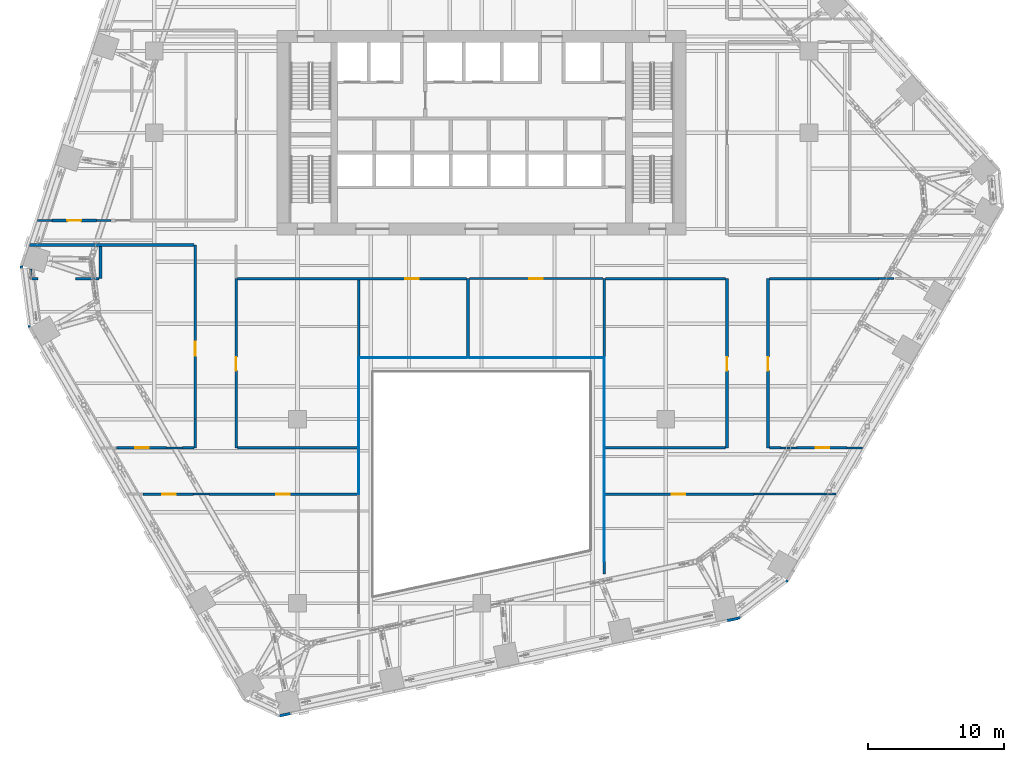
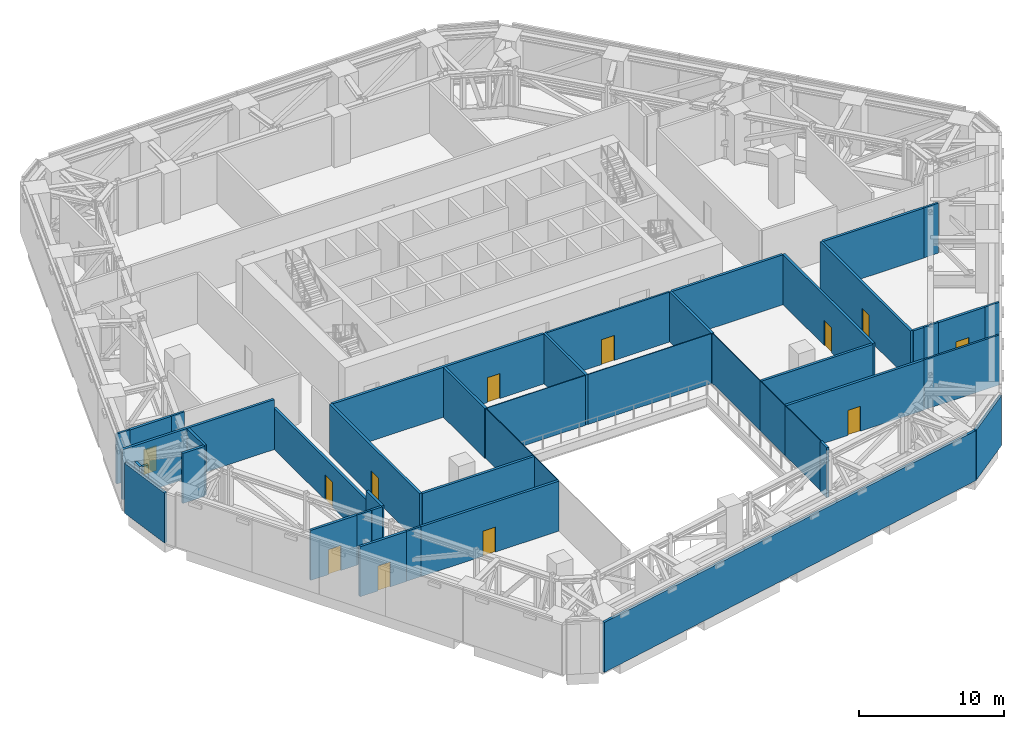
# One storey, part 21 of 36: 46 walls, 12 doors, 12 openings.
"""IFC4 building model written with IfcOpenShell, lengths in metres."""

from ifc_helpers import new_model, si_unit, direction, frame, frame_2d, origin, place, context, subcontext, project, spatial, rectangle, extrude, material, layer, layer_set, type_object, element, fill, save


model = new_model("IFC4")

# Units and contexts
model_context = context("Model", 3, precision=1e-05, world=origin(), true_north=direction((0.0, 1.0)))
body_context = subcontext(model_context, "Body", "Model", "MODEL_VIEW")
ifc_project = project(units=[si_unit("LENGTHUNIT", "METRE"), si_unit("AREAUNIT", "SQUARE_METRE"), si_unit("VOLUMEUNIT", "CUBIC_METRE"), si_unit("PLANEANGLEUNIT", "RADIAN"), si_unit("MASSUNIT", "GRAM", prefix="KILO")], contexts=[model_context])

# Site, building, storey
site_placement = place(None, origin())
site = spatial("IfcSite", under=ifc_project, at=site_placement, CompositionType="ELEMENT")
building_placement = place(site_placement, origin())
building = spatial("IfcBuilding", under=site, at=building_placement, Name="Isthmus Gate Tower", CompositionType="ELEMENT")
storey_placement = place(building_placement, frame((0.0, 0.0, 117.14990234375)))
storey = spatial("IfcBuildingStorey", under=building, at=storey_placement, Name="L28", CompositionType="ELEMENT", Elevation=117.14990234375)

# Wall, opening, door
ifc_material_1 = material(Name="Concrete f'c 30 MPa", Category="concrete")
ifc_layer_1 = layer(ifc_material_1, 0.199951171875)
ifc_layer_set_1 = layer_set([ifc_layer_1], Name="Fire-rated block wall 200")
wall_type_1 = type_object("IfcWallType", Name="Fire-rated block wall 200", PredefinedType="PARTITIONING", material=ifc_layer_set_1)
wall_1_placement = place(storey_placement, frame((-24.826171875, -19.0, 0.0), z_axis=(0.0, 0.0, 1.0), x_axis=(1.0, 0.0, 0.0)))
wall_1 = element("IfcWall", 1, at=wall_1_placement, inside=storey, type_object=wall_type_1, Name="Fire-rated wall", PredefinedType="PARTITIONING", context=body_context, shape_type="SweptSolid", body=[
    extrude(rectangle(XDim=3.695068359375, YDim=0.199951171875, at=frame_2d((1.84765625, 0.0))), origin(), (0.0, 0.0, 1.0), 4.2001953125),
])
opening_1_placement = place(wall_1_placement, frame((1.39990234375, 0.0, 0.0)))
opening_1 = element("IfcOpeningElement", 2, at=opening_1_placement, cuts=wall_1, Name="Opening DP28-18", PredefinedType="OPENING", context=body_context, shape_type="SweptSolid", body=[
    extrude(rectangle(XDim=1.0, YDim=2.10009765625, at=frame_2d((0.5, 1.050048828125))), frame((0.0, 0.10986328125, 0.0), z_axis=(0.0, -1.0, 0.0), x_axis=(1.0, 0.0, 0.0)), (0.0, 0.0, 1.0), 0.219970703125),
])
ifc_material_2 = material(Name="Steel fire door with intumescent seals", Category="steel")
door_type_1 = type_object("IfcDoorType", Name="Fire door 1000 x 2100", OperationType="SINGLE_SWING_LEFT", PredefinedType="DOOR", material=ifc_material_2)
door_1_placement = place(opening_1_placement, origin())
door_1 = element("IfcDoor", 3, at=door_1_placement, inside=storey, type_object=door_type_1, Name="Door DP28-18", OperationType="SINGLE_SWING_LEFT", OverallHeight=2.10009765625, OverallWidth=1.0, PredefinedType="DOOR", context=body_context, shape_type="SweptSolid", body=[
    extrude(rectangle(XDim=1.0, YDim=2.10009765625, at=frame_2d((0.5, 1.050048828125))), frame((0.0, 0.02490234375, 0.0), z_axis=(0.0, -1.0, 0.0), x_axis=(1.0, 0.0, 0.0)), (0.0, 0.0, 1.0), 0.050048828125),
])
fill(opening_1, door_1)

wall_2_placement = place(storey_placement, frame((-19.976318359375, -19.0, 0.0), z_axis=(0.0, 0.0, 1.0), x_axis=(1.0, 0.0, 0.0)))
wall_2 = element("IfcWall", 4, at=wall_2_placement, inside=storey, type_object=wall_type_1, Name="Fire-rated wall", PredefinedType="PARTITIONING", context=body_context, shape_type="SweptSolid", body=[
    extrude(rectangle(XDim=10.9462890625, YDim=0.199951171875, at=frame_2d((5.47314453125, 0.0))), origin(), (0.0, 0.0, 1.0), 4.2001953125),
])
opening_2_placement = place(wall_2_placement, frame((4.89990234375, 0.0, 0.0)))
opening_2 = element("IfcOpeningElement", 5, at=opening_2_placement, cuts=wall_2, Name="Opening DP28-17", PredefinedType="OPENING", context=body_context, shape_type="SweptSolid", body=[
    extrude(rectangle(XDim=1.0, YDim=2.10009765625, at=frame_2d((0.5, 1.050048828125))), frame((0.0, 0.10986328125, 0.0), z_axis=(0.0, -1.0, 0.0), x_axis=(1.0, 0.0, 0.0)), (0.0, 0.0, 1.0), 0.219970703125),
])
door_2_placement = place(opening_2_placement, origin())
door_2 = element("IfcDoor", 6, at=door_2_placement, inside=storey, type_object=door_type_1, Name="Door DP28-17", OperationType="SINGLE_SWING_LEFT", OverallHeight=2.10009765625, OverallWidth=1.0, PredefinedType="DOOR", context=body_context, shape_type="SweptSolid", body=[
    extrude(rectangle(XDim=1.0, YDim=2.10009765625, at=frame_2d((0.5, 1.050048828125))), frame((0.0, 0.02490234375, 0.0), z_axis=(0.0, -1.0, 0.0), x_axis=(1.0, 0.0, 0.0)), (0.0, 0.0, 1.0), 0.050048828125),
])
fill(opening_2, door_2)

wall_3_placement = place(storey_placement, frame((9.030029296875, -19.0, 0.0), z_axis=(0.0, 0.0, 1.0), x_axis=(1.0, 0.0, 0.0)))
wall_3 = element("IfcWall", 7, at=wall_3_placement, inside=storey, type_object=wall_type_1, Name="Fire-rated wall", PredefinedType="PARTITIONING", context=body_context, shape_type="SweptSolid", body=[
    extrude(rectangle(XDim=10.9462890625, YDim=0.199951171875, at=frame_2d((5.47314453125, 0.0))), origin(), (0.0, 0.0, 1.0), 4.2001953125),
])
opening_3_placement = place(wall_3_placement, frame((4.89990234375, 0.0, 0.0)))
opening_3 = element("IfcOpeningElement", 8, at=opening_3_placement, cuts=wall_3, Name="Opening DP28-22", PredefinedType="OPENING", context=body_context, shape_type="SweptSolid", body=[
    extrude(rectangle(XDim=1.0, YDim=2.10009765625, at=frame_2d((0.5, 1.050048828125))), frame((0.0, 0.10986328125, 0.0), z_axis=(0.0, -1.0, 0.0), x_axis=(1.0, 0.0, 0.0)), (0.0, 0.0, 1.0), 0.219970703125),
])
door_3_placement = place(opening_3_placement, origin())
door_3 = element("IfcDoor", 9, at=door_3_placement, inside=storey, type_object=door_type_1, Name="Door DP28-22", OperationType="SINGLE_SWING_LEFT", OverallHeight=2.10009765625, OverallWidth=1.0, PredefinedType="DOOR", context=body_context, shape_type="SweptSolid", body=[
    extrude(rectangle(XDim=1.0, YDim=2.10009765625, at=frame_2d((0.5, 1.050048828125))), frame((0.0, 0.02490234375, 0.0), z_axis=(0.0, -1.0, 0.0), x_axis=(1.0, 0.0, 0.0)), (0.0, 0.0, 1.0), 0.050048828125),
])
fill(opening_3, door_3)

wall_4_placement = place(storey_placement, frame((-26.7890625, -15.60009765625, 0.0), z_axis=(0.0, 0.0, 1.0), x_axis=(1.0, 0.0, 0.0)))
wall_4 = element("IfcWall", 10, at=wall_4_placement, inside=storey, type_object=wall_type_1, Name="Fire-rated wall", PredefinedType="PARTITIONING", context=body_context, shape_type="SweptSolid", body=[
    extrude(rectangle(XDim=3.695068359375, YDim=0.199951171875, at=frame_2d((1.84765625, 0.0))), origin(), (0.0, 0.0, 1.0), 4.2001953125),
])
opening_4_placement = place(wall_4_placement, frame((1.39990234375, 0.0, 0.0)))
opening_4 = element("IfcOpeningElement", 11, at=opening_4_placement, cuts=wall_4, Name="Opening DP28-15", PredefinedType="OPENING", context=body_context, shape_type="SweptSolid", body=[
    extrude(rectangle(XDim=1.0, YDim=2.10009765625, at=frame_2d((0.5, 1.050048828125))), frame((0.0, 0.10986328125, 0.0), z_axis=(0.0, -1.0, 0.0), x_axis=(1.0, 0.0, 0.0)), (0.0, 0.0, 1.0), 0.219970703125),
])
door_4_placement = place(opening_4_placement, origin())
door_4 = element("IfcDoor", 12, at=door_4_placement, inside=storey, type_object=door_type_1, Name="Door DP28-15", OperationType="SINGLE_SWING_LEFT", OverallHeight=2.10009765625, OverallWidth=1.0, PredefinedType="DOOR", context=body_context, shape_type="SweptSolid", body=[
    extrude(rectangle(XDim=1.0, YDim=2.10009765625, at=frame_2d((0.5, 1.050048828125))), frame((0.0, 0.02490234375, 0.0), z_axis=(0.0, -1.0, 0.0), x_axis=(1.0, 0.0, 0.0)), (0.0, 0.0, 1.0), 0.050048828125),
])
fill(opening_4, door_4)

# Walls
wall_5_placement = place(storey_placement, frame((-21.939208984375, -15.60009765625, 0.0), z_axis=(0.0, 0.0, 1.0), x_axis=(1.0, 0.0, 0.0)))
element("IfcWall", 13, at=wall_5_placement, inside=storey, type_object=wall_type_1, Name="Fire-rated wall", PredefinedType="PARTITIONING", context=body_context, shape_type="SweptSolid", body=[
    extrude(rectangle(XDim=0.839111328125, YDim=0.199951171875, at=frame_2d((0.41943359375, 0.0))), origin(), (0.0, 0.0, 1.0), 4.2001953125),
])
for number, where, z_axis, x_axis, name in (
    (14, (-17.89990234375, -15.60009765625, 0.0), (0.0, 0.0, 1.0), (1.0, 0.0, 0.0), "Fire-rated wall"),
    (15, (9.030029296875, -15.60009765625, 0.0), (0.0, 0.0, 1.0), (1.0, 0.0, 0.0), "Fire-rated wall"),
):
    element("IfcWall", number, at=place(storey_placement, frame(where, z_axis=z_axis, x_axis=x_axis)), inside=storey, type_object=wall_type_1, Name=name, PredefinedType="PARTITIONING", context=body_context, shape_type="SweptSolid", body=[
        extrude(rectangle(XDim=8.869873046875, YDim=0.199951171875, at=frame_2d((4.43505859375, 0.0))), origin(), (0.0, 0.0, 1.0), 4.2001953125),
    ])
wall_6_placement = place(storey_placement, frame((21.10009765625, -15.60009765625, 0.0), z_axis=(0.0, 0.0, 1.0), x_axis=(1.0, 0.0, 0.0)))
element("IfcWall", 16, at=wall_6_placement, inside=storey, type_object=wall_type_1, Name="Fire-rated wall", PredefinedType="PARTITIONING", context=body_context, shape_type="SweptSolid", body=[
    extrude(rectangle(XDim=0.839111328125, YDim=0.199951171875, at=frame_2d((0.41943359375, 0.0))), origin(), (0.0, 0.0, 1.0), 4.2001953125),
])

# Wall, opening, door
wall_7_placement = place(storey_placement, frame((23.093994140625, -15.60009765625, 0.0), z_axis=(0.0, 0.0, 1.0), x_axis=(1.0, 0.0, 0.0)))
wall_7 = element("IfcWall", 17, at=wall_7_placement, inside=storey, type_object=wall_type_1, Name="Fire-rated wall", PredefinedType="PARTITIONING", context=body_context, shape_type="SweptSolid", body=[
    extrude(rectangle(XDim=3.695068359375, YDim=0.199951171875, at=frame_2d((1.84765625, 0.0))), origin(), (0.0, 0.0, 1.0), 4.2001953125),
])
opening_5_placement = place(wall_7_placement, frame((1.39990234375, 0.0, 0.0)))
opening_5 = element("IfcOpeningElement", 18, at=opening_5_placement, cuts=wall_7, Name="Opening DP28-21", PredefinedType="OPENING", context=body_context, shape_type="SweptSolid", body=[
    extrude(rectangle(XDim=1.0, YDim=2.10009765625, at=frame_2d((0.5, 1.050048828125))), frame((0.0, 0.10986328125, 0.0), z_axis=(0.0, -1.0, 0.0), x_axis=(1.0, 0.0, 0.0)), (0.0, 0.0, 1.0), 0.219970703125),
])
door_5_placement = place(opening_5_placement, origin())
door_5 = element("IfcDoor", 19, at=door_5_placement, inside=storey, type_object=door_type_1, Name="Door DP28-21", OperationType="SINGLE_SWING_LEFT", OverallHeight=2.10009765625, OverallWidth=1.0, PredefinedType="DOOR", context=body_context, shape_type="SweptSolid", body=[
    extrude(rectangle(XDim=1.0, YDim=2.10009765625, at=frame_2d((0.5, 1.050048828125))), frame((0.0, 0.02490234375, 0.0), z_axis=(0.0, -1.0, 0.0), x_axis=(1.0, 0.0, 0.0)), (0.0, 0.0, 1.0), 0.050048828125),
])
fill(opening_5, door_5)

# Walls
wall_8_placement = place(storey_placement, frame((-32.99951171875, -3.199951171875, 0.0), z_axis=(0.0, 0.0, 1.0), x_axis=(1.0, 0.0, 0.0)))
element("IfcWall", 20, at=wall_8_placement, inside=storey, type_object=wall_type_1, Name="Fire-rated wall", PredefinedType="PARTITIONING", context=body_context, shape_type="SweptSolid", body=[
    extrude(rectangle(XDim=0.484130859375, YDim=0.199951171875, at=frame_2d((0.2421875, 0.0))), origin(), (0.0, 0.0, 1.0), 4.2001953125),
])
wall_9_placement = place(storey_placement, frame((-29.784912109375, -3.199951171875, 0.0), z_axis=(0.0, 0.0, 1.0), x_axis=(1.0, 0.0, 0.0)))
element("IfcWall", 21, at=wall_9_placement, inside=storey, type_object=wall_type_1, Name="Fire-rated wall", PredefinedType="PARTITIONING", context=body_context, shape_type="SweptSolid", body=[
    extrude(rectangle(XDim=1.739990234375, YDim=0.199951171875, at=frame_2d((0.8701171875, 0.0))), origin(), (0.0, 0.0, 1.0), 4.2001953125),
])

# Wall, opening, door
wall_10_placement = place(storey_placement, frame((-17.89990234375, -3.199951171875, 0.0), z_axis=(0.0, 0.0, 1.0), x_axis=(1.0, 0.0, 0.0)))
wall_10 = element("IfcWall", 22, at=wall_10_placement, inside=storey, type_object=wall_type_1, Name="Fire-rated wall", PredefinedType="PARTITIONING", context=body_context, shape_type="SweptSolid", body=[
    extrude(rectangle(XDim=16.7998046875, YDim=0.199951171875, at=frame_2d((8.39990234375, 0.0))), origin(), (0.0, 0.0, 1.0), 4.2001953125),
])
opening_6_placement = place(wall_10_placement, frame((12.300048828125, 0.0, 0.0)))
opening_6 = element("IfcOpeningElement", 23, at=opening_6_placement, cuts=wall_10, Name="Opening DP28-12", PredefinedType="OPENING", context=body_context, shape_type="SweptSolid", body=[
    extrude(rectangle(XDim=1.0, YDim=2.10009765625, at=frame_2d((0.5, 1.050048828125))), frame((0.0, 0.10986328125, 0.0), z_axis=(0.0, -1.0, 0.0), x_axis=(1.0, 0.0, 0.0)), (0.0, 0.0, 1.0), 0.219970703125),
])
door_6_placement = place(opening_6_placement, origin())
door_6 = element("IfcDoor", 24, at=door_6_placement, inside=storey, type_object=door_type_1, Name="Door DP28-12", OperationType="SINGLE_SWING_LEFT", OverallHeight=2.10009765625, OverallWidth=1.0, PredefinedType="DOOR", context=body_context, shape_type="SweptSolid", body=[
    extrude(rectangle(XDim=1.0, YDim=2.10009765625, at=frame_2d((0.5, 1.050048828125))), frame((0.0, 0.02490234375, 0.0), z_axis=(0.0, -1.0, 0.0), x_axis=(1.0, 0.0, 0.0)), (0.0, 0.0, 1.0), 0.050048828125),
])
fill(opening_6, door_6)

# Walls
wall_11_placement = place(storey_placement, frame((9.10009765625, -3.199951171875, 0.0), z_axis=(0.0, 0.0, 1.0), x_axis=(1.0, 0.0, 0.0)))
element("IfcWall", 25, at=wall_11_placement, inside=storey, type_object=wall_type_1, Name="Fire-rated wall", PredefinedType="PARTITIONING", context=body_context, shape_type="SweptSolid", body=[
    extrude(rectangle(XDim=8.7998046875, YDim=0.199951171875, at=frame_2d((4.39990234375, 0.0))), origin(), (0.0, 0.0, 1.0), 4.2001953125),
])
wall_12_placement = place(storey_placement, frame((21.10009765625, -3.199951171875, 0.0), z_axis=(0.0, 0.0, 1.0), x_axis=(1.0, 0.0, 0.0)))
element("IfcWall", 26, at=wall_12_placement, inside=storey, type_object=wall_type_1, Name="Fire-rated wall", PredefinedType="PARTITIONING", context=body_context, shape_type="SweptSolid", body=[
    extrude(rectangle(XDim=7.998291015625, YDim=0.199951171875, at=frame_2d((3.9990234375, 0.0))), origin(), (0.0, 0.0, 1.0), 4.2001953125),
])
wall_13_placement = place(storey_placement, frame((-33.151611328125, -0.739013671875, 0.0), z_axis=(0.0, 0.0, 1.0), x_axis=(1.0, 0.0, 0.0)))
element("IfcWall", 27, at=wall_13_placement, inside=storey, type_object=wall_type_1, Name="Fire-rated wall", PredefinedType="PARTITIONING", context=body_context, shape_type="SweptSolid", body=[
    extrude(rectangle(XDim=12.051513671875, YDim=0.199951171875, at=frame_2d((6.02587890625, 0.0))), origin(), (0.0, 0.0, 1.0), 4.2001953125),
])

# Wall, opening, door
wall_14_placement = place(storey_placement, frame((-31.515380859375, 1.06103515625, 0.0), z_axis=(0.0, 0.0, 1.0), x_axis=(1.0, 0.0, 0.0)))
wall_14 = element("IfcWall", 28, at=wall_14_placement, inside=storey, type_object=wall_type_1, Name="Fire-rated wall", PredefinedType="PARTITIONING", context=body_context, shape_type="SweptSolid", body=[
    extrude(rectangle(XDim=3.272705078125, YDim=0.199951171875, at=frame_2d((1.63623046875, 0.0))), origin(), (0.0, 0.0, 1.0), 4.2001953125),
])
opening_7_placement = place(wall_14_placement, frame((1.14990234375, 0.0, 0.0)))
opening_7 = element("IfcOpeningElement", 29, at=opening_7_placement, cuts=wall_14, Name="Opening DP28-05", PredefinedType="OPENING", context=body_context, shape_type="SweptSolid", body=[
    extrude(rectangle(XDim=1.0, YDim=2.10009765625, at=frame_2d((0.5, 1.050048828125))), frame((0.0, 0.10986328125, 0.0), z_axis=(0.0, -1.0, 0.0), x_axis=(1.0, 0.0, 0.0)), (0.0, 0.0, 1.0), 0.219970703125),
])
door_7_placement = place(opening_7_placement, origin())
door_7 = element("IfcDoor", 30, at=door_7_placement, inside=storey, type_object=door_type_1, Name="Door DP28-05", OperationType="SINGLE_SWING_LEFT", OverallHeight=2.10009765625, OverallWidth=1.0, PredefinedType="DOOR", context=body_context, shape_type="SweptSolid", body=[
    extrude(rectangle(XDim=1.0, YDim=2.10009765625, at=frame_2d((0.5, 1.050048828125))), frame((0.0, 0.02490234375, 0.0), z_axis=(0.0, -1.0, 0.0), x_axis=(1.0, 0.0, 0.0)), (0.0, 0.0, 1.0), 0.050048828125),
])
fill(opening_7, door_7)

# Walls
wall_15_placement = place(storey_placement, frame((-33.06494140625, -3.199951171875, 0.0), z_axis=(0.0, 0.0, 1.0), x_axis=(0.0, 1.0, 0.0)))
element("IfcWall", 31, at=wall_15_placement, inside=storey, type_object=wall_type_1, Name="Fire-rated wall", PredefinedType="PARTITIONING", context=body_context, shape_type="SweptSolid", body=[
    extrude(rectangle(XDim=0.7177734375, YDim=0.199951171875, at=frame_2d((0.35888671875, 0.0))), origin(), (0.0, 0.0, 1.0), 4.2001953125),
])
wall_16_placement = place(storey_placement, frame((-27.945068359375, -3.199951171875, 0.0), z_axis=(0.0, 0.0, 1.0), x_axis=(0.0, 1.0, 0.0)))
element("IfcWall", 32, at=wall_16_placement, inside=storey, type_object=wall_type_1, Name="Fire-rated wall", PredefinedType="PARTITIONING", context=body_context, shape_type="SweptSolid", body=[
    extrude(rectangle(XDim=2.36083984375, YDim=0.199951171875, at=frame_2d((1.180419921875, 0.0))), origin(), (0.0, 0.0, 1.0), 4.2001953125),
])
wall_17_placement = place(storey_placement, frame((-21.0, -15.60009765625, 0.0), z_axis=(0.0, 0.0, 1.0), x_axis=(0.0, 1.0, 0.0)))
element("IfcWall", 33, at=wall_17_placement, inside=storey, type_object=wall_type_1, Name="Fire-rated wall", PredefinedType="PARTITIONING", context=body_context, shape_type="SweptSolid", body=[
    extrude(rectangle(XDim=2.114501953125, YDim=0.199951171875, at=frame_2d((1.05712890625, 0.0))), origin(), (0.0, 0.0, 1.0), 4.2001953125),
])

# Wall, opening, door
wall_18_placement = place(storey_placement, frame((-21.0, -13.485595703125, 0.0), z_axis=(0.0, 0.0, 1.0), x_axis=(0.0, 1.0, 0.0)))
wall_18 = element("IfcWall", 34, at=wall_18_placement, inside=storey, type_object=wall_type_1, Name="Fire-rated wall", PredefinedType="PARTITIONING", context=body_context, shape_type="SweptSolid", body=[
    extrude(rectangle(XDim=12.746337890625, YDim=0.199951171875, at=frame_2d((6.373046875, 0.0))), origin(), (0.0, 0.0, 1.0), 3.45068359375),
])
opening_8_placement = place(wall_18_placement, frame((4.64990234375, 0.0, 0.0)))
opening_8 = element("IfcOpeningElement", 35, at=opening_8_placement, cuts=wall_18, Name="Opening DP28-14", PredefinedType="OPENING", context=body_context, shape_type="SweptSolid", body=[
    extrude(rectangle(XDim=1.0, YDim=2.10009765625, at=frame_2d((0.5, 1.050048828125))), frame((0.0, 0.10986328125, 0.0), z_axis=(0.0, -1.0, 0.0), x_axis=(1.0, 0.0, 0.0)), (0.0, 0.0, 1.0), 0.219970703125),
])
door_8_placement = place(opening_8_placement, origin())
door_8 = element("IfcDoor", 36, at=door_8_placement, inside=storey, type_object=door_type_1, Name="Door DP28-14", OperationType="SINGLE_SWING_LEFT", OverallHeight=2.10009765625, OverallWidth=1.0, PredefinedType="DOOR", context=body_context, shape_type="SweptSolid", body=[
    extrude(rectangle(XDim=1.0, YDim=2.10009765625, at=frame_2d((0.5, 1.050048828125))), frame((0.0, 0.02490234375, 0.0), z_axis=(0.0, -1.0, 0.0), x_axis=(1.0, 0.0, 0.0)), (0.0, 0.0, 1.0), 0.050048828125),
])
fill(opening_8, door_8)

wall_19_placement = place(storey_placement, frame((-18.0, -15.60009765625, 0.0), z_axis=(0.0, 0.0, 1.0), x_axis=(0.0, 1.0, 0.0)))
wall_19 = element("IfcWall", 37, at=wall_19_placement, inside=storey, type_object=wall_type_1, Name="Fire-rated wall", PredefinedType="PARTITIONING", context=body_context, shape_type="SweptSolid", body=[
    extrude(rectangle(XDim=12.400146484375, YDim=0.199951171875, at=frame_2d((6.2001953125, 0.0))), origin(), (0.0, 0.0, 1.0), 4.2001953125),
])
opening_9_placement = place(wall_19_placement, frame((5.64990234375, 0.0, 0.0)))
opening_9 = element("IfcOpeningElement", 38, at=opening_9_placement, cuts=wall_19, Name="Opening DP28-16", PredefinedType="OPENING", context=body_context, shape_type="SweptSolid", body=[
    extrude(rectangle(XDim=1.0, YDim=2.10009765625, at=frame_2d((0.5, 1.050048828125))), frame((0.0, 0.10986328125, 0.0), z_axis=(0.0, -1.0, 0.0), x_axis=(1.0, 0.0, 0.0)), (0.0, 0.0, 1.0), 0.219970703125),
])
door_9_placement = place(opening_9_placement, origin())
door_9 = element("IfcDoor", 39, at=door_9_placement, inside=storey, type_object=door_type_1, Name="Door DP28-16", OperationType="SINGLE_SWING_LEFT", OverallHeight=2.10009765625, OverallWidth=1.0, PredefinedType="DOOR", context=body_context, shape_type="SweptSolid", body=[
    extrude(rectangle(XDim=1.0, YDim=2.10009765625, at=frame_2d((0.5, 1.050048828125))), frame((0.0, 0.02490234375, 0.0), z_axis=(0.0, -1.0, 0.0), x_axis=(1.0, 0.0, 0.0)), (0.0, 0.0, 1.0), 0.050048828125),
])
fill(opening_9, door_9)

# Walls
wall_20_placement = place(storey_placement, frame((-9.0, -9.0, 0.0), z_axis=(0.0, 0.0, 1.0), x_axis=(0.0, 1.0, 0.0)))
element("IfcWall", 40, at=wall_20_placement, inside=storey, type_object=wall_type_1, Name="Fire-rated wall", PredefinedType="PARTITIONING", context=body_context, shape_type="SweptSolid", body=[
    extrude(rectangle(XDim=5.699951171875, YDim=0.199951171875, at=frame_2d((2.85009765625, 0.0))), origin(), (0.0, 0.0, 1.0), 4.2001953125),
])
wall_21_placement = place(storey_placement, frame((-1.0, -9.0, 0.0), z_axis=(0.0, 0.0, 1.0), x_axis=(0.0, 1.0, 0.0)))
element("IfcWall", 41, at=wall_21_placement, inside=storey, type_object=wall_type_1, Name="Fire-rated wall", PredefinedType="PARTITIONING", context=body_context, shape_type="SweptSolid", body=[
    extrude(rectangle(XDim=5.800048828125, YDim=0.199951171875, at=frame_2d((2.89990234375, 0.0))), origin(), (0.0, 0.0, 1.0), 4.2001953125),
])
wall_22_placement = place(storey_placement, frame((9.0, -24.860107421875, 0.0), z_axis=(0.0, 0.0, 1.0), x_axis=(0.0, 1.0, 0.0)))
element("IfcWall", 42, at=wall_22_placement, inside=storey, type_object=wall_type_1, Name="Fire-rated wall", PredefinedType="PARTITIONING", context=body_context, shape_type="SweptSolid", body=[
    extrude(rectangle(XDim=0.9072265625, YDim=0.199951171875, at=frame_2d((0.45361328125, 0.0))), origin(), (0.0, 0.0, 1.0), 4.2001953125),
])
wall_23_placement = place(storey_placement, frame((9.0, -9.0, 0.0), z_axis=(0.0, 0.0, 1.0), x_axis=(0.0, 1.0, 0.0)))
element("IfcWall", 43, at=wall_23_placement, inside=storey, type_object=wall_type_1, Name="Fire-rated wall", PredefinedType="PARTITIONING", context=body_context, shape_type="SweptSolid", body=[
    extrude(rectangle(XDim=5.800048828125, YDim=0.199951171875, at=frame_2d((2.89990234375, 0.0))), origin(), (0.0, 0.0, 1.0), 4.2001953125),
])

# Wall, opening, door
wall_24_placement = place(storey_placement, frame((18.0, -15.60009765625, 0.0), z_axis=(0.0, 0.0, 1.0), x_axis=(0.0, 1.0, 0.0)))
wall_24 = element("IfcWall", 44, at=wall_24_placement, inside=storey, type_object=wall_type_1, Name="Fire-rated wall", PredefinedType="PARTITIONING", context=body_context, shape_type="SweptSolid", body=[
    extrude(rectangle(XDim=12.400146484375, YDim=0.199951171875, at=frame_2d((6.2001953125, 0.0))), origin(), (0.0, 0.0, 1.0), 4.2001953125),
])
opening_10_placement = place(wall_24_placement, frame((5.64990234375, 0.0, 0.0)))
opening_10 = element("IfcOpeningElement", 45, at=opening_10_placement, cuts=wall_24, Name="Opening DP28-19", PredefinedType="OPENING", context=body_context, shape_type="SweptSolid", body=[
    extrude(rectangle(XDim=1.0, YDim=2.10009765625, at=frame_2d((0.5, 1.050048828125))), frame((0.0, 0.10986328125, 0.0), z_axis=(0.0, -1.0, 0.0), x_axis=(1.0, 0.0, 0.0)), (0.0, 0.0, 1.0), 0.219970703125),
])
door_10_placement = place(opening_10_placement, origin())
door_10 = element("IfcDoor", 46, at=door_10_placement, inside=storey, type_object=door_type_1, Name="Door DP28-19", OperationType="SINGLE_SWING_LEFT", OverallHeight=2.10009765625, OverallWidth=1.0, PredefinedType="DOOR", context=body_context, shape_type="SweptSolid", body=[
    extrude(rectangle(XDim=1.0, YDim=2.10009765625, at=frame_2d((0.5, 1.050048828125))), frame((0.0, 0.02490234375, 0.0), z_axis=(0.0, -1.0, 0.0), x_axis=(1.0, 0.0, 0.0)), (0.0, 0.0, 1.0), 0.050048828125),
])
fill(opening_10, door_10)

wall_25_placement = place(storey_placement, frame((21.0, -15.60009765625, 0.0), z_axis=(0.0, 0.0, 1.0), x_axis=(0.0, 1.0, 0.0)))
wall_25 = element("IfcWall", 47, at=wall_25_placement, inside=storey, type_object=wall_type_1, Name="Fire-rated wall", PredefinedType="PARTITIONING", context=body_context, shape_type="SweptSolid", body=[
    extrude(rectangle(XDim=12.400146484375, YDim=0.199951171875, at=frame_2d((6.2001953125, 0.0))), origin(), (0.0, 0.0, 1.0), 4.2001953125),
])
opening_11_placement = place(wall_25_placement, frame((5.64990234375, 0.0, 0.0)))
opening_11 = element("IfcOpeningElement", 48, at=opening_11_placement, cuts=wall_25, Name="Opening DP28-20", PredefinedType="OPENING", context=body_context, shape_type="SweptSolid", body=[
    extrude(rectangle(XDim=1.0, YDim=2.10009765625, at=frame_2d((0.5, 1.050048828125))), frame((0.0, 0.10986328125, 0.0), z_axis=(0.0, -1.0, 0.0), x_axis=(1.0, 0.0, 0.0)), (0.0, 0.0, 1.0), 0.219970703125),
])
door_11_placement = place(opening_11_placement, origin())
door_11 = element("IfcDoor", 49, at=door_11_placement, inside=storey, type_object=door_type_1, Name="Door DP28-20", OperationType="SINGLE_SWING_LEFT", OverallHeight=2.10009765625, OverallWidth=1.0, PredefinedType="DOOR", context=body_context, shape_type="SweptSolid", body=[
    extrude(rectangle(XDim=1.0, YDim=2.10009765625, at=frame_2d((0.5, 1.050048828125))), frame((0.0, 0.02490234375, 0.0), z_axis=(0.0, -1.0, 0.0), x_axis=(1.0, 0.0, 0.0)), (0.0, 0.0, 1.0), 0.050048828125),
])
fill(opening_11, door_11)

# Walls
wall_26_placement = place(storey_placement, frame((22.4384765625, -25.33544921875, 0.0), z_axis=(0.0, 0.0, 1.0), x_axis=(-0.794188790755, -0.607671099066, 0.0)))
element("IfcWall", 50, at=wall_26_placement, inside=storey, type_object=wall_type_1, Name="Fire-rated wall", PredefinedType="PARTITIONING", context=body_context, shape_type="SweptSolid", body=[
    extrude(rectangle(XDim=4.55126953125, YDim=0.199951171875, at=frame_2d((2.275634765625, 0.0))), origin(), (0.0, 0.0, 1.0), 4.2001953125),
])
wall_27_placement = place(storey_placement, frame((18.823974609375, -28.10107421875, 0.0), z_axis=(0.0, 0.0, 1.0), x_axis=(-0.978147111711, -0.207913991477, 0.0)))
element("IfcWall", 51, at=wall_27_placement, inside=storey, type_object=wall_type_1, Name="Fire-rated wall", PredefinedType="PARTITIONING", context=body_context, shape_type="SweptSolid", body=[
    extrude(rectangle(XDim=34.413330078125, YDim=0.199951171875, at=frame_2d((17.20654296875, 0.0))), origin(), (0.0, 0.0, 1.0), 4.2001953125),
])
wall_28_placement = place(storey_placement, frame((-33.160400390625, -6.7646484375, 0.0), z_axis=(0.0, 0.0, 1.0), x_axis=(-0.129169482613, 0.991622531391, 0.0)))
element("IfcWall", 52, at=wall_28_placement, inside=storey, type_object=wall_type_1, Name="Fire-rated wall", PredefinedType="PARTITIONING", context=body_context, shape_type="SweptSolid", body=[
    extrude(rectangle(XDim=4.55126953125, YDim=0.199951171875, at=frame_2d((2.275634765625, 0.0))), origin(), (0.0, 0.0, 1.0), 4.2001953125),
])
ifc_material_3 = material(Name="Fire-rated laminated glass in steel frame", Category="steel")
ifc_layer_2 = layer(ifc_material_3, 0.06005859375)
ifc_layer_set_2 = layer_set([ifc_layer_2], Name="Fire-rated glazed atrium screen 60")
wall_type_2 = type_object("IfcWallType", Name="Fire-rated glazed atrium screen 60", PredefinedType="PARTITIONING", material=ifc_layer_set_2)
wall_29_placement = place(storey_placement, frame((-8.89990234375, -9.0, 0.0), z_axis=(0.0, 0.0, 1.0), x_axis=(1.0, 0.0, 0.0)))
element("IfcWall", 53, at=wall_29_placement, inside=storey, type_object=wall_type_2, Name="Atrium screen", PredefinedType="PARTITIONING", context=body_context, shape_type="SweptSolid", body=[
    extrude(rectangle(XDim=7.7998046875, YDim=0.06005859375, at=frame_2d((3.89990234375, 0.0))), origin(), (0.0, 0.0, 1.0), 4.2001953125),
])
wall_30_placement = place(storey_placement, frame((-0.89990234375, -9.0, 0.0), z_axis=(0.0, 0.0, 1.0), x_axis=(1.0, 0.0, 0.0)))
element("IfcWall", 54, at=wall_30_placement, inside=storey, type_object=wall_type_2, Name="Atrium screen", PredefinedType="PARTITIONING", context=body_context, shape_type="SweptSolid", body=[
    extrude(rectangle(XDim=9.7998046875, YDim=0.06005859375, at=frame_2d((4.89990234375, 0.0))), origin(), (0.0, 0.0, 1.0), 4.2001953125),
])
wall_31_placement = place(storey_placement, frame((-9.0, -18.9990234375, 0.0), z_axis=(0.0, 0.0, 1.0), x_axis=(0.0, 1.0, 0.0)))
element("IfcWall", 55, at=wall_31_placement, inside=storey, type_object=wall_type_2, Name="Atrium screen", PredefinedType="PARTITIONING", context=body_context, shape_type="SweptSolid", body=[
    extrude(rectangle(XDim=3.39794921875, YDim=0.06005859375, at=frame_2d((1.698974609375, 0.0))), origin(), (0.0, 0.0, 1.0), 4.2001953125),
])
wall_32_placement = place(storey_placement, frame((-9.0, -15.59912109375, 0.0), z_axis=(0.0, 0.0, 1.0), x_axis=(0.0, 1.0, 0.0)))
element("IfcWall", 56, at=wall_32_placement, inside=storey, type_object=wall_type_2, Name="Atrium screen", PredefinedType="PARTITIONING", context=body_context, shape_type="SweptSolid", body=[
    extrude(rectangle(XDim=6.59814453125, YDim=0.06005859375, at=frame_2d((3.299072265625, 0.0))), origin(), (0.0, 0.0, 1.0), 4.2001953125),
])
wall_33_placement = place(storey_placement, frame((9.0, -23.952880859375, 0.0), z_axis=(0.0, 0.0, 1.0), x_axis=(0.0, 1.0, 0.0)))
element("IfcWall", 57, at=wall_33_placement, inside=storey, type_object=wall_type_2, Name="Atrium screen", PredefinedType="PARTITIONING", context=body_context, shape_type="SweptSolid", body=[
    extrude(rectangle(XDim=4.951904296875, YDim=0.06005859375, at=frame_2d((2.47607421875, 0.0))), origin(), (0.0, 0.0, 1.0), 4.2001953125),
])
wall_34_placement = place(storey_placement, frame((9.0, -18.9990234375, 0.0), z_axis=(0.0, 0.0, 1.0), x_axis=(0.0, 1.0, 0.0)))
element("IfcWall", 58, at=wall_34_placement, inside=storey, type_object=wall_type_2, Name="Atrium screen", PredefinedType="PARTITIONING", context=body_context, shape_type="SweptSolid", body=[
    extrude(rectangle(XDim=3.39794921875, YDim=0.06005859375, at=frame_2d((1.698974609375, 0.0))), origin(), (0.0, 0.0, 1.0), 4.2001953125),
])
wall_35_placement = place(storey_placement, frame((9.0, -15.59912109375, 0.0), z_axis=(0.0, 0.0, 1.0), x_axis=(0.0, 1.0, 0.0)))
element("IfcWall", 59, at=wall_35_placement, inside=storey, type_object=wall_type_2, Name="Atrium screen", PredefinedType="PARTITIONING", context=body_context, shape_type="SweptSolid", body=[
    extrude(rectangle(XDim=6.59814453125, YDim=0.06005859375, at=frame_2d((3.299072265625, 0.0))), origin(), (0.0, 0.0, 1.0), 4.2001953125),
])
ifc_material_4 = material(Name="Gypsum board on cold-formed steel studs", Category="steel")
ifc_layer_3 = layer(ifc_material_4, 0.14990234375)
ifc_layer_set_3 = layer_set([ifc_layer_3])
wall_type_3 = type_object("IfcWallType", Name="Partition 150 gypsum board on steel studs", PredefinedType="PARTITIONING", material=ifc_layer_set_3)
wall_36_placement = place(storey_placement, frame((-21.1298828125, -19.0, 0.0), z_axis=(0.0, 0.0, 1.0), x_axis=(1.0, 0.0, 0.0)))
element("IfcWall", 60, at=wall_36_placement, inside=storey, type_object=wall_type_3, Name="Partition", PredefinedType="PARTITIONING", context=body_context, shape_type="SweptSolid", body=[
    extrude(rectangle(XDim=1.152587890625, YDim=0.14990234375, at=frame_2d((0.576171875, 0.0))), origin(), (0.0, 0.0, 1.0), 4.2001953125),
])
wall_37_placement = place(storey_placement, frame((19.977294921875, -19.0, 0.0), z_axis=(0.0, 0.0, 1.0), x_axis=(1.0, 0.0, 0.0)))
element("IfcWall", 61, at=wall_37_placement, inside=storey, type_object=wall_type_3, Name="Partition", PredefinedType="PARTITIONING", context=body_context, shape_type="SweptSolid", body=[
    extrude(rectangle(XDim=6.00341796875, YDim=0.14990234375, at=frame_2d((3.001708984375, 0.0))), origin(), (0.0, 0.0, 1.0), 4.2001953125),
])
for number, where, z_axis, x_axis, name in (
    (62, (-23.093017578125, -15.60009765625, 0.0), (0.0, 0.0, 1.0), (1.0, 0.0, 0.0), "Partition"),
    (63, (21.9404296875, -15.60009765625, 0.0), (0.0, 0.0, 1.0), (1.0, 0.0, 0.0), "Partition"),
):
    element("IfcWall", number, at=place(storey_placement, frame(where, z_axis=z_axis, x_axis=x_axis)), inside=storey, type_object=wall_type_3, Name=name, PredefinedType="PARTITIONING", context=body_context, shape_type="SweptSolid", body=[
        extrude(rectangle(XDim=1.152587890625, YDim=0.14990234375, at=frame_2d((0.576171875, 0.0))), origin(), (0.0, 0.0, 1.0), 4.2001953125),
    ])
wall_38_placement = place(storey_placement, frame((26.790283203125, -15.60009765625, 0.0), z_axis=(0.0, 0.0, 1.0), x_axis=(1.0, 0.0, 0.0)))
element("IfcWall", 64, at=wall_38_placement, inside=storey, type_object=wall_type_3, Name="Partition", PredefinedType="PARTITIONING", context=body_context, shape_type="SweptSolid", body=[
    extrude(rectangle(XDim=1.153564453125, YDim=0.14990234375, at=frame_2d((0.57666015625, 0.0))), origin(), (0.0, 0.0, 1.0), 4.2001953125),
])

# Wall, opening, door
wall_39_placement = place(storey_placement, frame((-0.89990234375, -3.199951171875, 0.0), z_axis=(0.0, 0.0, 1.0), x_axis=(1.0, 0.0, 0.0)))
wall_39 = element("IfcWall", 65, at=wall_39_placement, inside=storey, type_object=wall_type_3, Name="Partition", PredefinedType="PARTITIONING", context=body_context, shape_type="SweptSolid", body=[
    extrude(rectangle(XDim=9.7998046875, YDim=0.14990234375, at=frame_2d((4.89990234375, 0.0))), origin(), (0.0, 0.0, 1.0), 4.2001953125),
])
opening_12_placement = place(wall_39_placement, frame((4.39990234375, 0.0, 0.0)))
opening_12 = element("IfcOpeningElement", 66, at=opening_12_placement, cuts=wall_39, Name="Opening DP28-13", PredefinedType="OPENING", context=body_context, shape_type="SweptSolid", body=[
    extrude(rectangle(XDim=1.0, YDim=2.10009765625, at=frame_2d((0.5, 1.050048828125))), frame((0.0, 0.0849609375, 0.0), z_axis=(0.0, -1.0, 0.0), x_axis=(1.0, 0.0, 0.0)), (0.0, 0.0, 1.0), 0.169921875),
])
ifc_material_5 = material(Name="Hollow metal frame with solid-core timber leaf", Category="wood")
door_type_2 = type_object("IfcDoorType", Name="Single swing door 1000 x 2100", OperationType="SINGLE_SWING_LEFT", PredefinedType="DOOR", material=ifc_material_5)
door_12_placement = place(opening_12_placement, origin())
door_12 = element("IfcDoor", 67, at=door_12_placement, inside=storey, type_object=door_type_2, Name="Door DP28-13", OperationType="SINGLE_SWING_LEFT", OverallHeight=2.10009765625, OverallWidth=1.0, PredefinedType="DOOR", context=body_context, shape_type="SweptSolid", body=[
    extrude(rectangle(XDim=1.0, YDim=2.10009765625, at=frame_2d((0.5, 1.050048828125))), frame((0.0, 0.02490234375, 0.0), z_axis=(0.0, -1.0, 0.0), x_axis=(1.0, 0.0, 0.0)), (0.0, 0.0, 1.0), 0.050048828125),
])
fill(opening_12, door_12)

# Walls
wall_40_placement = place(storey_placement, frame((29.099609375, -3.199951171875, 0.0), z_axis=(0.0, 0.0, 1.0), x_axis=(1.0, 0.0, 0.0)))
element("IfcWall", 68, at=wall_40_placement, inside=storey, type_object=wall_type_3, Name="Partition", PredefinedType="PARTITIONING", context=body_context, shape_type="SweptSolid", body=[
    extrude(rectangle(XDim=1.15234375, YDim=0.14990234375, at=frame_2d((0.576171875, 0.0))), origin(), (0.0, 0.0, 1.0), 4.2001953125),
])
wall_41_placement = place(storey_placement, frame((-32.56689453125, 1.06103515625, 0.0), z_axis=(0.0, 0.0, 1.0), x_axis=(1.0, 0.0, 0.0)))
element("IfcWall", 69, at=wall_41_placement, inside=storey, type_object=wall_type_3, Name="Partition", PredefinedType="PARTITIONING", context=body_context, shape_type="SweptSolid", body=[
    extrude(rectangle(XDim=1.050537109375, YDim=0.14990234375, at=frame_2d((0.525390625, 0.0))), origin(), (0.0, 0.0, 1.0), 4.2001953125),
])
wall_42_placement = place(storey_placement, frame((-28.24169921875, 1.06103515625, 0.0), z_axis=(0.0, 0.0, 1.0), x_axis=(1.0, 0.0, 0.0)))
element("IfcWall", 70, at=wall_42_placement, inside=storey, type_object=wall_type_3, Name="Partition", PredefinedType="PARTITIONING", context=body_context, shape_type="SweptSolid", body=[
    extrude(rectangle(XDim=1.049560546875, YDim=0.14990234375, at=frame_2d((0.52490234375, 0.0))), origin(), (0.0, 0.0, 1.0), 4.2001953125),
])

save(model, "model.ifc")
